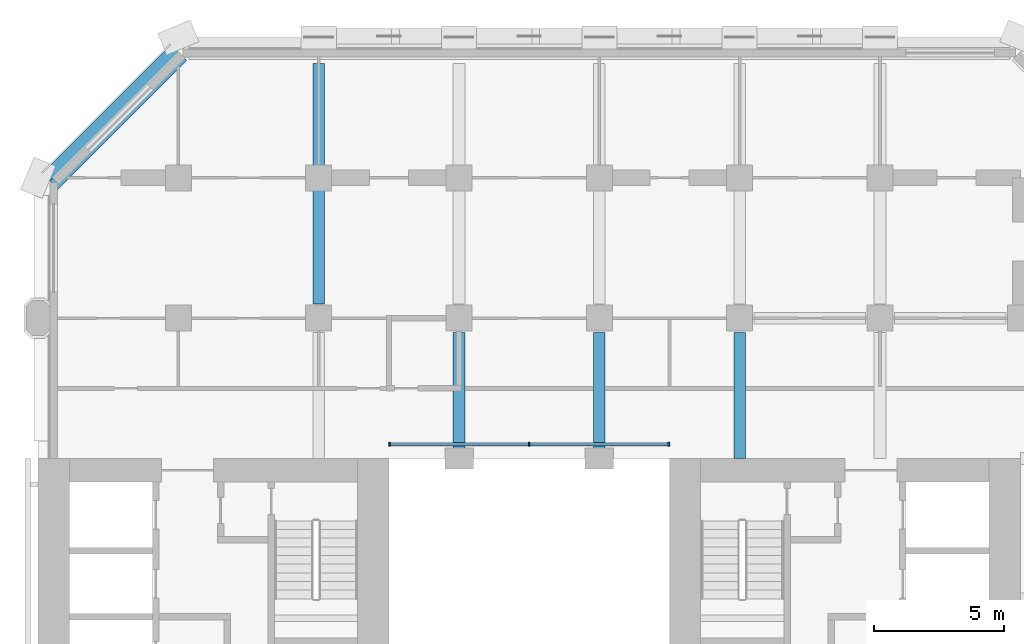
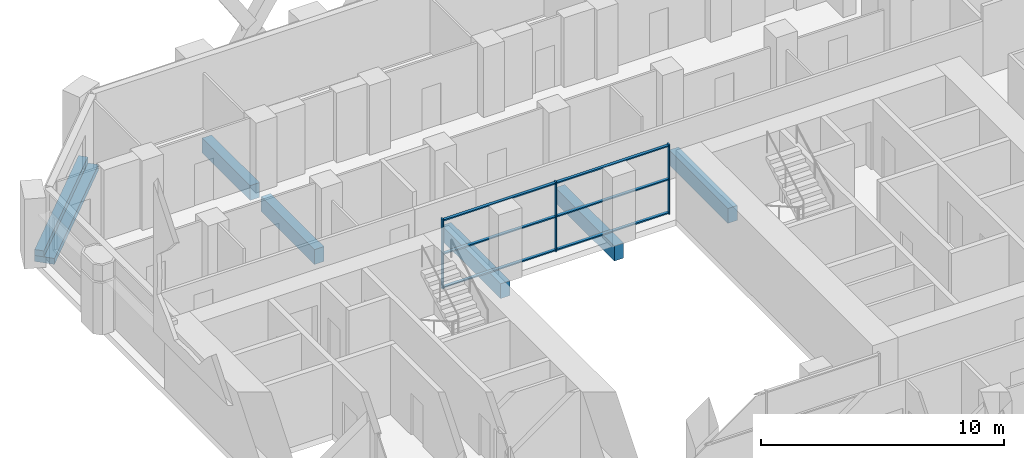
# One storey, part 6 of 16: 9 members, 7 beams, 1 element without a shape of its own.
"""IFC4 building model written with IfcOpenShell, lengths in metres."""

import ifcopenshell
import ifcopenshell.guid

model = None  # the IFC model being written
_history = None  # IfcOwnerHistory: only IFC2X3 demands one
_inside = {}  # id of a spatial element -> (the spatial element, [elements in it])
_under = {}  # id of a project, library or spatial element -> (it, [spatial elements below it])
_declared = {}  # id of a project -> (the project, [libraries it declares])
_typed = {}  # id of a type object -> (the type object, [elements of that type])
_made_of = {}  # id of a material, layer set ... -> (it, [elements and type objects made of it])


def new_model(schema):
    """Start an empty IFC model of exactly this schema.

    Asked for "IFC4X3", IfcOpenShell would pick the latest addendum, in which some entities
    have other attributes; the version numbers below select the first issue.
    IFC2X3 requires an IfcOwnerHistory on every rooted entity: one is made here for all.
    """
    global model, _history
    if schema == "IFC4X3":
        model = ifcopenshell.file(schema_version=(4, 3, 0, 0))
    else:
        model = ifcopenshell.file(schema=schema)
    _inside.clear()
    _under.clear()
    _declared.clear()
    _typed.clear()
    _made_of.clear()
    _history = None
    if model.schema == "IFC2X3":
        org = make("IfcOrganization", Name="unknown")
        user = make(
            "IfcPersonAndOrganization",
            ThePerson=make("IfcPerson", FamilyName="unknown"),
            TheOrganization=org,
        )
        app = make(
            "IfcApplication",
            ApplicationDeveloper=org,
            Version="unknown",
            ApplicationFullName="unknown",
            ApplicationIdentifier="unknown",
        )
        _history = make(
            "IfcOwnerHistory",
            OwningUser=user,
            OwningApplication=app,
            ChangeAction="ADDED",
            CreationDate=0,
        )
    return model


def make(cls, **values):
    """One entity of the class cls with the attributes given. An attribute that is None is left unset."""
    return model.create_entity(
        cls, **{name: value for name, value in values.items() if value is not None}
    )


def rooted(cls, **values):
    """An entity with a GlobalId (a new one), such as an element, a storey or a relation."""
    return make(cls, GlobalId=ifcopenshell.guid.new(), OwnerHistory=_history, **values)


def si_unit(unit_type, name, prefix=None):
    """IfcSIUnit, for example si_unit("LENGTHUNIT", "METRE", prefix="MILLI")."""
    return make("IfcSIUnit", UnitType=unit_type, Prefix=prefix, Name=name)


def assignment(units):
    """IfcUnitAssignment: the units of a project."""
    return None if units is None else make("IfcUnitAssignment", Units=units)


def point(xyz):
    """IfcCartesianPoint."""
    return None if xyz is None else make("IfcCartesianPoint", Coordinates=xyz)


def direction(xyz):
    """IfcDirection."""
    return None if xyz is None else make("IfcDirection", DirectionRatios=xyz)


def frame(location, z_axis=None, x_axis=None):
    """IfcAxis2Placement3D, a coordinate frame: its origin and axes. An axis left out is left unset."""
    return make(
        "IfcAxis2Placement3D",
        Location=point(location),
        Axis=direction(z_axis),
        RefDirection=direction(x_axis),
    )


def frame_2d(location, x_axis=None):
    """IfcAxis2Placement2D, a coordinate frame in the plane: its origin and x axis."""
    return make(
        "IfcAxis2Placement2D", Location=point(location), RefDirection=direction(x_axis)
    )


def origin():
    """The frame at (0, 0, 0) with its axes left unset."""
    return frame((0.0, 0.0, 0.0))


def origin_2d():
    """The frame at (0, 0) in the plane with its x axis left unset."""
    return frame_2d((0.0, 0.0))


def place(relative_to, where):
    """IfcLocalPlacement: puts the frame where relative to a parent placement (None: the world)."""
    return make(
        "IfcLocalPlacement", PlacementRelTo=relative_to, RelativePlacement=where
    )


def context(
    kind, dimensions, precision=None, world=None, true_north=None, identifier=None
):
    """IfcGeometricRepresentationContext, for example the 3D "Model" context."""
    return make(
        "IfcGeometricRepresentationContext",
        ContextIdentifier=identifier,
        ContextType=kind,
        CoordinateSpaceDimension=dimensions,
        Precision=precision,
        WorldCoordinateSystem=world,
        TrueNorth=true_north,
    )


def subcontext(parent, identifier, kind, view, scale=None):
    """IfcGeometricRepresentationSubContext, for example "Body" below "Model"."""
    return make(
        "IfcGeometricRepresentationSubContext",
        ContextIdentifier=identifier,
        ContextType=kind,
        ParentContext=parent,
        TargetScale=scale,
        TargetView=view,
    )


def project(units=None, contexts=None):
    """IfcProject with its units and contexts."""
    return rooted(
        "IfcProject",
        Name="project",
        RepresentationContexts=contexts,
        UnitsInContext=assignment(units),
    )


def spatial(cls, under=None, at=None, **own):
    """A site, building, storey or space (cls), placed at a placement, below another one or the project."""
    s = rooted(cls, ObjectPlacement=at, **own)
    if under is not None:
        _under.setdefault(under.id(), (under, []))[1].append(s)
    return s


def profile(cls, at=None, kind="AREA", **sizes):
    """A parametric profile (cls). Its sizes go by their IFC names, for example OverallWidth=200.0."""
    return make(cls, ProfileType=kind, Position=at, **sizes)


def rectangle(**sizes):
    """IfcRectangleProfileDef."""
    return profile("IfcRectangleProfileDef", **sizes)


def extrude(swept, where, along, depth):
    """IfcExtrudedAreaSolid: the profile swept, set in the frame where, extruded along a direction by depth."""
    return make(
        "IfcExtrudedAreaSolid",
        SweptArea=swept,
        Position=where,
        ExtrudedDirection=direction(along),
        Depth=depth,
    )


def shape(context_of_items, identifier, shape_type, items):
    """IfcShapeRepresentation: the items that make up one representation, for example the "Body"."""
    return make(
        "IfcShapeRepresentation",
        ContextOfItems=context_of_items,
        RepresentationIdentifier=identifier,
        RepresentationType=shape_type,
        Items=items,
    )


def material(Name=None, Category=None):
    """IfcMaterial."""
    return make("IfcMaterial", Name=Name, Category=Category)


def material_profile(
    of_material, cross_section, Name=None, Category=None, Priority=None
):
    """IfcMaterialProfile: a cross section and its material."""
    return make(
        "IfcMaterialProfile",
        Name=Name,
        Material=of_material,
        Profile=cross_section,
        Priority=Priority,
        Category=Category,
    )


def profile_set(profiles, Name=None, composite=None):
    """IfcMaterialProfileSet."""
    return make(
        "IfcMaterialProfileSet",
        Name=Name,
        MaterialProfiles=profiles,
        CompositeProfile=composite,
    )


def made_of(thing, what):
    """Note that an element or type object is made of a material, layer set ...; save() writes the relation."""
    if what is not None:
        _made_of.setdefault(what.id(), (what, []))[1].append(thing)
    return thing


def type_object(cls, material=None, **own):
    """A type object (cls), such as IfcWallType, which elements share."""
    return made_of(rooted(cls, **own), material)


def element(
    cls,
    number,
    at=None,
    inside=None,
    cuts=None,
    type_object=None,
    material=None,
    context=None,
    identifier="Body",
    shape_type=None,
    held_by="IfcProductDefinitionShape",
    body=None,
    shapes=None,
    **own,
):
    """One element of the class cls, such as IfcWall. Its Tag is "e" and its number.

    at: its placement. inside: the storey or other place that contains it. cuts: it is an
    opening in that element (IfcRelVoidsElement). A single representation is given by context,
    identifier, shape_type and body (its items); several are given by shapes. held_by: the class
    of the entity that holds the representations. save() writes the other relations.
    """
    e = rooted(cls, Tag="e%d" % number, ObjectPlacement=at, **own)
    if body is not None:
        shapes = [shape(context, identifier, shape_type, body)]
    if shapes is not None:
        e.Representation = make(held_by, Representations=shapes)
    if inside is not None:
        _inside.setdefault(inside.id(), (inside, []))[1].append(e)
    if cuts is not None:
        rooted(
            "IfcRelVoidsElement", RelatingBuildingElement=cuts, RelatedOpeningElement=e
        )
    if type_object is not None:
        _typed.setdefault(type_object.id(), (type_object, []))[1].append(e)
    return made_of(e, material)


def aggregate(whole, parts):
    """IfcRelAggregates: a whole, such as a stair, and the parts it consists of."""
    return rooted("IfcRelAggregates", RelatingObject=whole, RelatedObjects=parts)


def save(model, path):
    """Write the relations noted so far, then the file.

    IfcRelAggregates (storeys below a building ...), IfcRelContainedInSpatialStructure (elements
    in a storey), IfcRelDefinesByType, IfcRelAssociatesMaterial and IfcRelDeclares: one each for
    every whole, place, type object, material and project.
    """
    for whole, parts in _under.values():
        aggregate(whole, parts)
    for where, things in _inside.values():
        rooted(
            "IfcRelContainedInSpatialStructure",
            RelatedElements=things,
            RelatingStructure=where,
        )
    for kind, things in _typed.values():
        rooted("IfcRelDefinesByType", RelatedObjects=things, RelatingType=kind)
    for what, things in _made_of.values():
        rooted("IfcRelAssociatesMaterial", RelatedObjects=things, RelatingMaterial=what)
    for by, libraries in _declared.values():
        rooted("IfcRelDeclares", RelatingContext=by, RelatedDefinitions=libraries)
    model.write(path)


model = new_model("IFC4")

# Units and contexts
model_context = context("Model", 3, precision=1e-05, world=origin(), true_north=direction((0.0, 1.0)))
body_context = subcontext(model_context, "Body", "Model", "MODEL_VIEW")
ifc_project = project(units=[si_unit("LENGTHUNIT", "METRE"), si_unit("AREAUNIT", "SQUARE_METRE"), si_unit("VOLUMEUNIT", "CUBIC_METRE"), si_unit("PLANEANGLEUNIT", "RADIAN"), si_unit("MASSUNIT", "GRAM", prefix="KILO")], contexts=[model_context])

# Site, building, storey
site_placement = place(None, origin())
site = spatial("IfcSite", under=ifc_project, at=site_placement, CompositionType="ELEMENT")
building_placement = place(site_placement, origin())
building = spatial("IfcBuilding", under=site, at=building_placement, Name="Tabaq Tower and Sports Hall", CompositionType="ELEMENT")
storey_placement = place(building_placement, frame((0.0, 0.0, 65.0)))
storey = spatial("IfcBuildingStorey", under=building, at=storey_placement, Name="L14", CompositionType="ELEMENT", Elevation=65.0)

# Curtain wall, members
ifc_material_1 = material(Name="Aluminium alloy 6063-T6 framed glazing", Category="aluminium")
curtain_wall_type = type_object("IfcCurtainWallType", Name="CW1 curtain wall", PredefinedType="USERDEFINED", material=ifc_material_1)
curtain_wall_placement = place(storey_placement, origin())
curtain_wall = element("IfcCurtainWall", 1, at=curtain_wall_placement, inside=storey, type_object=curtain_wall_type, Name="Atrium glazing L14 N", ObjectType="ATRIUM ENCLOSURE", PredefinedType="USERDEFINED")
ifc_material_2 = material(Name="Aluminium alloy 6063-T6", Category="aluminium")
ifc_material_profile_1 = material_profile(ifc_material_2, rectangle(XDim=0.159912109375, YDim=0.06005859375, at=origin_2d()), Name="MULLION 160x60")
ifc_profile_set_1 = profile_set([ifc_material_profile_1], Name="Aluminium alloy 6063-T6")
member_type_1 = type_object("IfcMemberType", Name="CW1 mullion 160x60", PredefinedType="MULLION", material=ifc_profile_set_1)
member_1_placement = place(storey_placement, frame((18.929931640625, 32.949951171875, 0.0), z_axis=(0.0, 0.0, 1.0), x_axis=(0.0, 1.0, 0.0)))
member_1 = element("IfcMember", 2, at=member_1_placement, type_object=member_type_1, Name="CW1 mullion 1", PredefinedType="MULLION", context=body_context, shape_type="SweptSolid", body=[
    extrude(rectangle(XDim=0.159912109375, YDim=0.06005859375, at=origin_2d()), origin(), (0.0, 0.0, 1.0), 3.5),
])
member_2_placement = place(storey_placement, frame((24.300048828125, 32.949951171875, 0.0), z_axis=(0.0, 0.0, 1.0), x_axis=(0.0, 1.0, 0.0)))
member_2 = element("IfcMember", 3, at=member_2_placement, type_object=member_type_1, Name="CW1 mullion 2", PredefinedType="MULLION", context=body_context, shape_type="SweptSolid", body=[
    extrude(rectangle(XDim=0.159912109375, YDim=0.06005859375, at=origin_2d()), origin(), (0.0, 0.0, 1.0), 3.5),
])
member_3_placement = place(storey_placement, frame((29.669921875, 32.949951171875, 0.0), z_axis=(0.0, 0.0, 1.0), x_axis=(0.0, 1.0, 0.0)))
member_3 = element("IfcMember", 4, at=member_3_placement, type_object=member_type_1, Name="CW1 mullion 3", PredefinedType="MULLION", context=body_context, shape_type="SweptSolid", body=[
    extrude(rectangle(XDim=0.159912109375, YDim=0.06005859375, at=origin_2d()), origin(), (0.0, 0.0, 1.0), 3.5),
])
ifc_material_3 = material(Name="Aluminium alloy 6063-T6", Category="aluminium")
ifc_material_profile_2 = material_profile(ifc_material_3, rectangle(XDim=0.139892578125, YDim=0.06005859375, at=origin_2d()), Name="TRANSOM 140x60")
ifc_profile_set_2 = profile_set([ifc_material_profile_2], Name="Aluminium alloy 6063-T6")
member_type_2 = type_object("IfcMemberType", Name="CW1 transom 140x60", PredefinedType="USERDEFINED", material=ifc_profile_set_2)
member_4_placement = place(storey_placement, frame((18.9599609375, 32.949951171875, 0.070068359375), z_axis=(1.0, 0.0, 0.0), x_axis=(0.0, 1.0, 0.0)))
member_4 = element("IfcMember", 5, at=member_4_placement, type_object=member_type_2, Name="CW1 transom 1.1", ObjectType="TRANSOM", PredefinedType="USERDEFINED", context=body_context, shape_type="SweptSolid", body=[
    extrude(rectangle(XDim=0.139892578125, YDim=0.06005859375, at=origin_2d()), origin(), (0.0, 0.0, 1.0), 5.31005859375),
])
member_5_placement = place(storey_placement, frame((18.9599609375, 32.949951171875, 1.75), z_axis=(1.0, 0.0, 0.0), x_axis=(0.0, 1.0, 0.0)))
member_5 = element("IfcMember", 6, at=member_5_placement, type_object=member_type_2, Name="CW1 transom 1.2", ObjectType="TRANSOM", PredefinedType="USERDEFINED", context=body_context, shape_type="SweptSolid", body=[
    extrude(rectangle(XDim=0.139892578125, YDim=0.06005859375, at=origin_2d()), origin(), (0.0, 0.0, 1.0), 5.31005859375),
])
member_6_placement = place(storey_placement, frame((18.9599609375, 32.949951171875, 3.429931640625), z_axis=(1.0, 0.0, 0.0), x_axis=(0.0, 1.0, 0.0)))
member_6 = element("IfcMember", 7, at=member_6_placement, type_object=member_type_2, Name="CW1 transom 1.3", ObjectType="TRANSOM", PredefinedType="USERDEFINED", context=body_context, shape_type="SweptSolid", body=[
    extrude(rectangle(XDim=0.139892578125, YDim=0.06005859375, at=origin_2d()), origin(), (0.0, 0.0, 1.0), 5.31005859375),
])
member_7_placement = place(storey_placement, frame((24.330078125, 32.949951171875, 0.070068359375), z_axis=(1.0, 0.0, 0.0), x_axis=(0.0, 1.0, 0.0)))
member_7 = element("IfcMember", 8, at=member_7_placement, type_object=member_type_2, Name="CW1 transom 2.1", ObjectType="TRANSOM", PredefinedType="USERDEFINED", context=body_context, shape_type="SweptSolid", body=[
    extrude(rectangle(XDim=0.139892578125, YDim=0.06005859375, at=origin_2d()), origin(), (0.0, 0.0, 1.0), 5.309814453125),
])
member_8_placement = place(storey_placement, frame((24.330078125, 32.949951171875, 1.75), z_axis=(1.0, 0.0, 0.0), x_axis=(0.0, 1.0, 0.0)))
member_8 = element("IfcMember", 9, at=member_8_placement, type_object=member_type_2, Name="CW1 transom 2.2", ObjectType="TRANSOM", PredefinedType="USERDEFINED", context=body_context, shape_type="SweptSolid", body=[
    extrude(rectangle(XDim=0.139892578125, YDim=0.06005859375, at=origin_2d()), origin(), (0.0, 0.0, 1.0), 5.309814453125),
])
member_9_placement = place(storey_placement, frame((24.330078125, 32.949951171875, 3.429931640625), z_axis=(1.0, 0.0, 0.0), x_axis=(0.0, 1.0, 0.0)))
member_9 = element("IfcMember", 10, at=member_9_placement, type_object=member_type_2, Name="CW1 transom 2.3", ObjectType="TRANSOM", PredefinedType="USERDEFINED", context=body_context, shape_type="SweptSolid", body=[
    extrude(rectangle(XDim=0.139892578125, YDim=0.06005859375, at=origin_2d()), origin(), (0.0, 0.0, 1.0), 5.309814453125),
])
aggregate(curtain_wall, [member_1, member_2, member_3, member_4, member_5, member_6, member_7, member_8, member_9])

# Beams
ifc_material_4 = material(Name="Concrete C40/50", Category="concrete")
ifc_material_profile_3 = material_profile(ifc_material_4, rectangle(XDim=0.449951171875, YDim=0.75, at=origin_2d()), Name="CB 450x750")
ifc_profile_set_3 = profile_set([ifc_material_profile_3], Name="Concrete C40/50")
beam_type_1 = type_object("IfcBeamType", Name="PT CANTILEVER BEAM CB 450x750 C40/50", PredefinedType="BEAM", material=ifc_profile_set_3)
beam_1_placement = place(storey_placement, frame((16.199951171875, 47.60009765625, -0.675048828125), z_axis=(0.0, -1.0, 0.0), x_axis=(1.0, 0.0, 0.0)))
element("IfcBeam", 11, at=beam_1_placement, inside=storey, type_object=beam_type_1, Name="Cantilever Beam L14 N3 span 1", PredefinedType="BEAM", context=body_context, shape_type="SweptSolid", body=[
    extrude(rectangle(XDim=0.449951171875, YDim=0.75, at=origin_2d()), origin(), (0.0, 0.0, 1.0), 3.9501953125),
])
beam_2_placement = place(storey_placement, frame((16.199951171875, 42.75, -0.675048828125), z_axis=(0.0, -1.0, 0.0), x_axis=(1.0, 0.0, 0.0)))
element("IfcBeam", 12, at=beam_2_placement, inside=storey, type_object=beam_type_1, Name="Cantilever Beam L14 N3 span 2", PredefinedType="BEAM", context=body_context, shape_type="SweptSolid", body=[
    extrude(rectangle(XDim=0.449951171875, YDim=0.75, at=origin_2d()), origin(), (0.0, 0.0, 1.0), 4.39990234375),
])
for number, where, z_axis, x_axis, name in (
    (13, (21.60009765625, 37.25, -0.675048828125), (0.0, -1.0, 0.0), (1.0, 0.0, 0.0), "Cantilever Beam L14 N4 span 3"),
    (14, (27.0, 37.25, -0.675048828125), (0.0, -1.0, 0.0), (1.0, 0.0, 0.0), "Cantilever Beam L14 N5 span 3"),
    (15, (32.39990234375, 37.25, -0.675048828125), (0.0, -1.0, 0.0), (1.0, 0.0, 0.0), "Cantilever Beam L14 N6 span 3"),
):
    element("IfcBeam", number, at=place(storey_placement, frame(where, z_axis=z_axis, x_axis=x_axis)), inside=storey, type_object=beam_type_1, Name=name, PredefinedType="BEAM", context=body_context, shape_type="SweptSolid", body=[
        extrude(rectangle(XDim=0.449951171875, YDim=0.75, at=origin_2d()), origin(), (0.0, 0.0, 1.0), 4.85009765625),
    ])
ifc_material_5 = material(Name="Concrete C40/50", Category="concrete")
ifc_material_profile_4 = material_profile(ifc_material_5, rectangle(XDim=0.85009765625, YDim=0.300048828125, at=origin_2d()), Name="EB 850x300")
ifc_profile_set_4 = profile_set([ifc_material_profile_4], Name="Concrete C40/50")
beam_type_2 = type_object("IfcBeamType", Name="PT EDGE BEAM EB 850x300 C40/50", PredefinedType="SPANDREL", material=ifc_profile_set_4)
beam_3_placement = place(storey_placement, frame((10.816162109375, 48.01513671875, -0.14990234375), z_axis=(-0.707106781187, -0.707106781187, 0.0), x_axis=(0.707106781187, -0.707106781187, 0.0)))
element("IfcBeam", 16, at=beam_3_placement, inside=storey, type_object=beam_type_2, Name="Edge Beam L14 4", PredefinedType="SPANDREL", context=body_context, shape_type="SweptSolid", body=[
    extrude(rectangle(XDim=0.85009765625, YDim=0.300048828125, at=origin_2d()), origin(), (0.0, 0.0, 1.0), 6.98486328125),
])
ifc_material_6 = material(Name="Concrete C40/50", Category="concrete")
ifc_material_profile_5 = material_profile(ifc_material_6, rectangle(XDim=0.39990234375, YDim=0.300048828125, at=origin_2d()), Name="EU 400x300")
ifc_profile_set_5 = profile_set([ifc_material_profile_5], Name="Concrete C40/50")
beam_type_3 = type_object("IfcBeamType", Name="PT EDGE UPSTAND EU 400x300 C40/50", PredefinedType="BEAM", material=ifc_profile_set_5)
beam_4_placement = place(storey_placement, frame((10.6572265625, 48.17431640625, 0.14990234375), z_axis=(-0.707106781187, -0.707106781187, 0.0), x_axis=(0.707106781187, -0.707106781187, 0.0)))
element("IfcBeam", 17, at=beam_4_placement, inside=storey, type_object=beam_type_3, Name="Edge Upstand L14 4", PredefinedType="BEAM", context=body_context, shape_type="SweptSolid", body=[
    extrude(rectangle(XDim=0.39990234375, YDim=0.300048828125, at=origin_2d()), origin(), (0.0, 0.0, 1.0), 6.98486328125),
])

save(model, "model.ifc")
